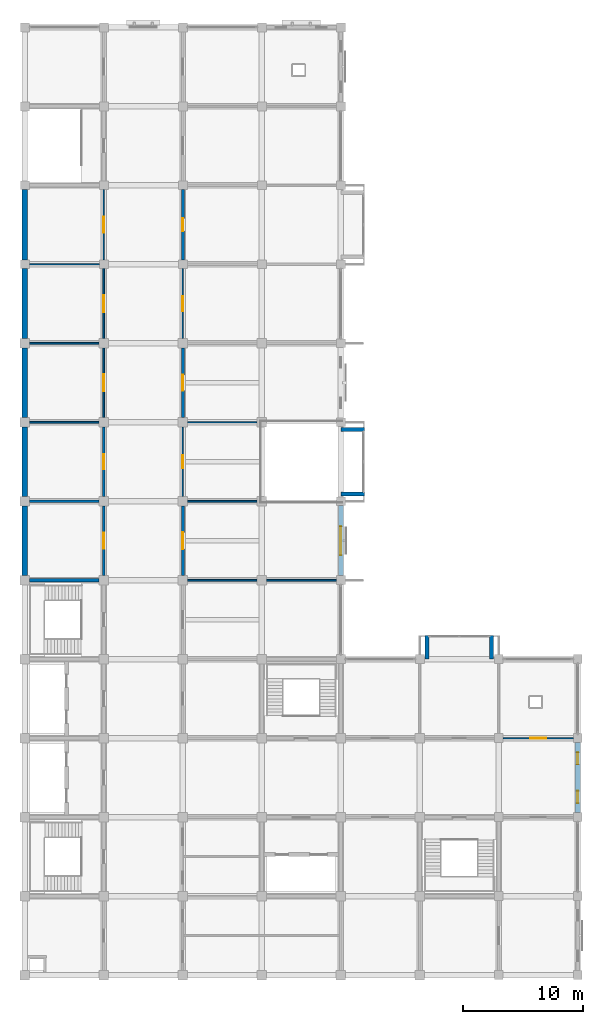
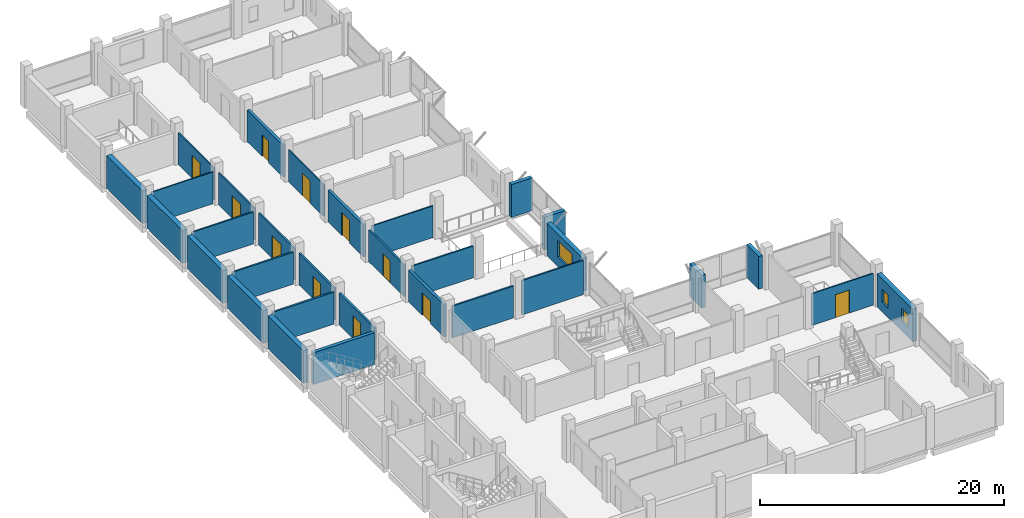
# One storey, part 9 of 14: 31 walls, 11 doors, 3 windows, 14 openings.
"""IFC4 building model written with IfcOpenShell, lengths in metres."""

from ifc_helpers import new_model, si_unit, direction, frame, frame_2d, origin, place, context, subcontext, project, spatial, rectangle, extrude, material, layer, layer_set, type_object, element, fill, save


model = new_model("IFC4")

# Units and contexts
model_context = context("Model", 3, precision=1e-05, world=origin(), true_north=direction((0.0, 1.0)))
body_context = subcontext(model_context, "Body", "Model", "MODEL_VIEW")
ifc_project = project(units=[si_unit("LENGTHUNIT", "METRE"), si_unit("AREAUNIT", "SQUARE_METRE"), si_unit("VOLUMEUNIT", "CUBIC_METRE"), si_unit("PLANEANGLEUNIT", "RADIAN"), si_unit("MASSUNIT", "GRAM", prefix="KILO")], contexts=[model_context])

# Site, building, storey
site_placement = place(None, origin())
site = spatial("IfcSite", under=ifc_project, at=site_placement, CompositionType="ELEMENT")
building_placement = place(site_placement, origin())
building = spatial("IfcBuilding", under=site, at=building_placement, Name="Rusizi Kubbe Research Institute", CompositionType="ELEMENT")
storey_placement = place(building_placement, frame((0.0, 0.0, 31.199951171875)))
storey = spatial("IfcBuildingStorey", under=building, at=storey_placement, Name="L07", CompositionType="ELEMENT", Elevation=31.199951171875)

# Wall
ifc_material_1 = material(Name="Concrete C45/55", Category="concrete")
ifc_layer_1 = layer(ifc_material_1, 0.31494140625)
ifc_layer_set_1 = layer_set([ifc_layer_1], Name="Concrete C45/55")
wall_type_1 = type_object("IfcWallType", Name="CRW-02", PredefinedType="SHEAR", material=ifc_layer_set_1)
wall_1_placement = place(storey_placement, frame((0.39990234375, 33.0, 0.0), z_axis=(0.0, 0.0, 1.0), x_axis=(1.0, 0.0, 0.0)))
element("IfcWall", 1, at=wall_1_placement, inside=storey, type_object=wall_type_1, Name="Stair Core Shear Wall ST2 L07 N", PredefinedType="SHEAR", context=body_context, shape_type="SweptSolid", body=[
    extrude(rectangle(XDim=5.800048828125, YDim=0.31494140625, at=frame_2d((2.89990234375, 0.0))), origin(), (0.0, 0.0, 1.0), 3.179931640625),
])

# Wall, opening, window
ifc_material_2 = material(Name="Volcanic Basalt Ashlar Masonry", Category="masonry")
ifc_layer_2 = layer(ifc_material_2, 0.419921875)
ifc_layer_set_2 = layer_set([ifc_layer_2], Name="Volcanic Basalt Ashlar Masonry")
wall_type_2 = type_object("IfcWallType", Name="EW-02", PredefinedType="SOLIDWALL", material=ifc_layer_set_2)
wall_2_placement = place(storey_placement, frame((26.39990234375, 33.375, 0.0), z_axis=(0.0, 0.0, 1.0), x_axis=(0.0, 1.0, 0.0)))
wall_2 = element("IfcWall", 2, at=wall_2_placement, inside=storey, type_object=wall_type_2, Name="Ablaq Stone Exterior Wall L07 V4-5", PredefinedType="SOLIDWALL", context=body_context, shape_type="SweptSolid", body=[
    extrude(rectangle(XDim=5.85009765625, YDim=0.419921875, at=frame_2d((2.925048828125, 0.0))), origin(), (0.0, 0.0, 1.0), 3.280029296875),
])
opening_1_placement = place(wall_2_placement, frame((1.715087890625, 0.0, 0.949951171875)))
opening_1 = element("IfcOpeningElement", 3, at=opening_1_placement, cuts=wall_2, Name="Opening WN-38", PredefinedType="OPENING", context=body_context, shape_type="SweptSolid", body=[
    extrude(rectangle(XDim=2.419921875, YDim=1.679931640625, at=frame_2d((1.2099609375, 0.83984375))), frame((0.0, 0.219970703125, 0.0), z_axis=(0.0, -1.0, 0.0), x_axis=(1.0, 0.0, 0.0)), (0.0, 0.0, 1.0), 0.43994140625),
])
ifc_material_3 = material(Name="Aluminium Frame and Solar-Control Double Glazing", Category="glass")
window_type_1 = type_object("IfcWindowType", Name="WN-38", PartitioningType="DOUBLE_PANEL_VERTICAL", PredefinedType="WINDOW", material=ifc_material_3)
window_1_placement = place(opening_1_placement, origin())
window_1 = element("IfcWindow", 4, at=window_1_placement, inside=storey, type_object=window_type_1, Name="Casement Window WN-38 L07", OverallHeight=1.679931640625, OverallWidth=2.419921875, PartitioningType="DOUBLE_PANEL_VERTICAL", PredefinedType="WINDOW", context=body_context, shape_type="SweptSolid", body=[
    extrude(rectangle(XDim=2.419921875, YDim=1.679931640625, at=frame_2d((1.2099609375, 0.83984375))), frame((0.0, 0.030029296875, 0.0), z_axis=(0.0, -1.0, 0.0), x_axis=(1.0, 0.0, 0.0)), (0.0, 0.0, 1.0), 0.06005859375),
])
fill(opening_1, window_1)

# Wall, openings, windows
wall_3_placement = place(storey_placement, frame((46.199951171875, 13.574951171875, 0.0), z_axis=(0.0, 0.0, 1.0), x_axis=(0.0, 1.0, 0.0)))
wall_3 = element("IfcWall", 5, at=wall_3_placement, inside=storey, type_object=wall_type_2, Name="Ablaq Stone Exterior Wall L07 V7-2", PredefinedType="SOLIDWALL", context=body_context, shape_type="SweptSolid", body=[
    extrude(rectangle(XDim=5.85009765625, YDim=0.419921875, at=frame_2d((2.925048828125, 0.0))), origin(), (0.0, 0.0, 1.0), 3.280029296875),
])
opening_2_placement = place(wall_3_placement, frame((0.800048828125, 0.0, 0.949951171875)))
opening_2 = element("IfcOpeningElement", 6, at=opening_2_placement, cuts=wall_3, Name="Opening WN-05", PredefinedType="OPENING", context=body_context, shape_type="SweptSolid", body=[
    extrude(rectangle(XDim=1.02001953125, YDim=1.300048828125, at=frame_2d((0.510009765625, 0.64990234375))), frame((0.0, 0.219970703125, 0.0), z_axis=(0.0, -1.0, 0.0), x_axis=(1.0, 0.0, 0.0)), (0.0, 0.0, 1.0), 0.43994140625),
])
opening_3_placement = place(wall_3_placement, frame((4.030029296875, 0.0, 0.949951171875)))
opening_3 = element("IfcOpeningElement", 7, at=opening_3_placement, cuts=wall_3, Name="Opening WN-05", PredefinedType="OPENING", context=body_context, shape_type="SweptSolid", body=[
    extrude(rectangle(XDim=1.02001953125, YDim=1.300048828125, at=frame_2d((0.510009765625, 0.64990234375))), frame((0.0, 0.219970703125, 0.0), z_axis=(0.0, -1.0, 0.0), x_axis=(1.0, 0.0, 0.0)), (0.0, 0.0, 1.0), 0.43994140625),
])
ifc_material_4 = material(Name="Aluminium Frame and Solar-Control Double Glazing", Category="glass")
window_type_2 = type_object("IfcWindowType", Name="WN-05", PartitioningType="SINGLE_PANEL", PredefinedType="WINDOW", material=ifc_material_4)
window_2_placement = place(opening_2_placement, origin())
window_2 = element("IfcWindow", 8, at=window_2_placement, inside=storey, type_object=window_type_2, Name="Casement Window WN-05 L07", OverallHeight=1.300048828125, OverallWidth=1.02001953125, PartitioningType="SINGLE_PANEL", PredefinedType="WINDOW", context=body_context, shape_type="SweptSolid", body=[
    extrude(rectangle(XDim=1.02001953125, YDim=1.300048828125, at=frame_2d((0.510009765625, 0.64990234375))), frame((0.0, 0.030029296875, 0.0), z_axis=(0.0, -1.0, 0.0), x_axis=(1.0, 0.0, 0.0)), (0.0, 0.0, 1.0), 0.06005859375),
])
fill(opening_2, window_2)
window_3_placement = place(opening_3_placement, origin())
window_3 = element("IfcWindow", 9, at=window_3_placement, inside=storey, type_object=window_type_2, Name="Casement Window WN-05 L07", OverallHeight=1.300048828125, OverallWidth=1.02001953125, PartitioningType="SINGLE_PANEL", PredefinedType="WINDOW", context=body_context, shape_type="SweptSolid", body=[
    extrude(rectangle(XDim=1.02001953125, YDim=1.300048828125, at=frame_2d((0.510009765625, 0.64990234375))), frame((0.0, 0.030029296875, 0.0), z_axis=(0.0, -1.0, 0.0), x_axis=(1.0, 0.0, 0.0)), (0.0, 0.0, 1.0), 0.06005859375),
])
fill(opening_3, window_3)

# Walls
ifc_material_5 = material(Name="Volcanic Basalt Ashlar Masonry", Category="masonry")
ifc_layer_3 = layer(ifc_material_5, 0.35498046875)
ifc_layer_set_3 = layer_set([ifc_layer_3], Name="Volcanic Basalt Ashlar Masonry")
wall_type_3 = type_object("IfcWallType", Name="EW-06", PredefinedType="SOLIDWALL", material=ifc_layer_set_3)
for number, where, z_axis, x_axis, name in (
    (10, (26.39990234375, 40.199951171875, 0.0), (0.0, 0.0, 1.0), (1.0, 0.0, 0.0), "Cumba Return Wall S L07 (4,6)"),
    (11, (26.39990234375, 45.60009765625, 0.0), (0.0, 0.0, 1.0), (1.0, 0.0, 0.0), "Cumba Return Wall N L07 (4,6)"),
    (12, (33.60009765625, 26.39990234375, 0.0), (0.0, 0.0, 1.0), (0.0, 1.0, 0.0), "Cumba Return Wall W L07 (5,4)"),
    (13, (39.0, 26.39990234375, 0.0), (0.0, 0.0, 1.0), (0.0, 1.0, 0.0), "Cumba Return Wall E L07 (5,4)"),
):
    element("IfcWall", number, at=place(storey_placement, frame(where, z_axis=z_axis, x_axis=x_axis)), inside=storey, type_object=wall_type_3, Name=name, PredefinedType="SOLIDWALL", context=body_context, shape_type="SweptSolid", body=[
        extrude(rectangle(XDim=2.0, YDim=0.35498046875, at=frame_2d((1.0, 0.0))), origin(), (0.0, 0.0, 1.0), 3.280029296875),
    ])

# Wall, opening, door
ifc_material_6 = material(Name="Insulated Cleanroom Partition", Category="masonry")
ifc_layer_4 = layer(ifc_material_6, 0.195068359375)
ifc_layer_set_4 = layer_set([ifc_layer_4], Name="Insulated Cleanroom Partition")
wall_type_4 = type_object("IfcWallType", Name="IW-02", PredefinedType="PARTITIONING", material=ifc_layer_set_4)
wall_4_placement = place(storey_placement, frame((6.60009765625, 33.39990234375, 0.0), z_axis=(0.0, 0.0, 1.0), x_axis=(0.0, 1.0, 0.0)))
wall_4 = element("IfcWall", 14, at=wall_4_placement, inside=storey, type_object=wall_type_4, Name="Interior Partition Wall L07 V1-5", PredefinedType="PARTITIONING", context=body_context, shape_type="SweptSolid", body=[
    extrude(rectangle(XDim=5.800048828125, YDim=0.195068359375, at=frame_2d((2.89990234375, 0.0))), origin(), (0.0, 0.0, 1.0), 3.179931640625),
])
opening_4_placement = place(wall_4_placement, frame((2.25, 0.0, 0.0)))
opening_4 = element("IfcOpeningElement", 15, at=opening_4_placement, cuts=wall_4, Name="Opening D-14", PredefinedType="OPENING", context=body_context, shape_type="SweptSolid", body=[
    extrude(rectangle(XDim=1.300048828125, YDim=2.300048828125, at=frame_2d((0.64990234375, 1.14990234375))), frame((0.0, 0.107421875, 0.0), z_axis=(0.0, -1.0, 0.0), x_axis=(1.0, 0.0, 0.0)), (0.0, 0.0, 1.0), 0.215087890625),
])
ifc_material_7 = material(Name="Fire-Rated Steel Frame and Acoustic Timber Leaf", Category="wood")
door_type_1 = type_object("IfcDoorType", Name="ID-LAB-130", OperationType="NOTDEFINED", PredefinedType="DOOR", material=ifc_material_7)
door_1_placement = place(opening_4_placement, origin())
door_1 = element("IfcDoor", 16, at=door_1_placement, inside=storey, type_object=door_type_1, Name="Door to Clean Room Metrology Laboratory (L07-WSP-05)", OperationType="SINGLE_SWING_RIGHT", OverallHeight=2.300048828125, OverallWidth=1.300048828125, PredefinedType="DOOR", context=body_context, shape_type="SweptSolid", body=[
    extrude(rectangle(XDim=1.300048828125, YDim=2.300048828125, at=frame_2d((0.64990234375, 1.14990234375))), frame((0.0, 0.02490234375, 0.0), z_axis=(0.0, -1.0, 0.0), x_axis=(1.0, 0.0, 0.0)), (0.0, 0.0, 1.0), 0.050048828125),
])
fill(opening_4, door_1)

# Wall
ifc_material_8 = material(Name="Acoustic Laboratory Partition", Category="masonry")
ifc_layer_5 = layer(ifc_material_8, 0.175048828125)
ifc_layer_set_5 = layer_set([ifc_layer_5], Name="Acoustic Laboratory Partition")
wall_type_5 = type_object("IfcWallType", Name="IW-03", PredefinedType="PARTITIONING", material=ifc_layer_set_5)
wall_5_placement = place(storey_placement, frame((0.39990234375, 39.60009765625, 0.0), z_axis=(0.0, 0.0, 1.0), x_axis=(1.0, 0.0, 0.0)))
element("IfcWall", 17, at=wall_5_placement, inside=storey, type_object=wall_type_5, Name="Interior Partition Wall L07 H0-6", PredefinedType="PARTITIONING", context=body_context, shape_type="SweptSolid", body=[
    extrude(rectangle(XDim=5.800048828125, YDim=0.175048828125, at=frame_2d((2.89990234375, 0.0))), origin(), (0.0, 0.0, 1.0), 3.179931640625),
])

# Wall, opening, door
wall_6_placement = place(storey_placement, frame((6.60009765625, 40.0, 0.0), z_axis=(0.0, 0.0, 1.0), x_axis=(0.0, 1.0, 0.0)))
wall_6 = element("IfcWall", 18, at=wall_6_placement, inside=storey, type_object=wall_type_5, Name="Interior Partition Wall L07 V1-6", PredefinedType="PARTITIONING", context=body_context, shape_type="SweptSolid", body=[
    extrude(rectangle(XDim=5.800048828125, YDim=0.175048828125, at=frame_2d((2.89990234375, 0.0))), origin(), (0.0, 0.0, 1.0), 3.179931640625),
])
opening_5_placement = place(wall_6_placement, frame((2.27490234375, 0.0, 0.0)))
opening_5 = element("IfcOpeningElement", 19, at=opening_5_placement, cuts=wall_6, Name="Opening D-15", PredefinedType="OPENING", context=body_context, shape_type="SweptSolid", body=[
    extrude(rectangle(XDim=1.25, YDim=2.25, at=frame_2d((0.625, 1.125))), frame((0.0, 0.097412109375, 0.0), z_axis=(0.0, -1.0, 0.0), x_axis=(1.0, 0.0, 0.0)), (0.0, 0.0, 1.0), 0.195068359375),
])
ifc_material_9 = material(Name="Fire-Rated Steel Frame and Acoustic Timber Leaf", Category="wood")
door_type_2 = type_object("IfcDoorType", Name="ID-LAB-125", OperationType="NOTDEFINED", PredefinedType="DOOR", material=ifc_material_9)
door_2_placement = place(opening_5_placement, origin())
door_2 = element("IfcDoor", 20, at=door_2_placement, inside=storey, type_object=door_type_2, Name="Door to Service Spine Autoclave Room (L07-WSP-06)", OperationType="SINGLE_SWING_LEFT", OverallHeight=2.25, OverallWidth=1.25, PredefinedType="DOOR", context=body_context, shape_type="SweptSolid", body=[
    extrude(rectangle(XDim=1.25, YDim=2.25, at=frame_2d((0.625, 1.125))), frame((0.0, 0.02490234375, 0.0), z_axis=(0.0, -1.0, 0.0), x_axis=(1.0, 0.0, 0.0)), (0.0, 0.0, 1.0), 0.050048828125),
])
fill(opening_5, door_2)

# Wall
ifc_material_10 = material(Name="Fire-Rated Corridor Partition", Category="masonry")
ifc_layer_6 = layer(ifc_material_10, 0.155029296875)
ifc_layer_set_6 = layer_set([ifc_layer_6], Name="Fire-Rated Corridor Partition")
wall_type_6 = type_object("IfcWallType", Name="IW-04", PredefinedType="PARTITIONING", material=ifc_layer_set_6)
wall_7_placement = place(storey_placement, frame((0.39990234375, 46.199951171875, 0.0), z_axis=(0.0, 0.0, 1.0), x_axis=(1.0, 0.0, 0.0)))
element("IfcWall", 21, at=wall_7_placement, inside=storey, type_object=wall_type_6, Name="Interior Partition Wall L07 H0-7", PredefinedType="PARTITIONING", context=body_context, shape_type="SweptSolid", body=[
    extrude(rectangle(XDim=5.800048828125, YDim=0.155029296875, at=frame_2d((2.89990234375, 0.0))), origin(), (0.0, 0.0, 1.0), 3.179931640625),
])

# Wall, opening, door
wall_8_placement = place(storey_placement, frame((6.60009765625, 46.60009765625, 0.0), z_axis=(0.0, 0.0, 1.0), x_axis=(0.0, 1.0, 0.0)))
wall_8 = element("IfcWall", 22, at=wall_8_placement, inside=storey, type_object=wall_type_6, Name="Interior Partition Wall L07 V1-7", PredefinedType="PARTITIONING", context=body_context, shape_type="SweptSolid", body=[
    extrude(rectangle(XDim=5.7998046875, YDim=0.155029296875, at=frame_2d((2.89990234375, 0.0))), origin(), (0.0, 0.0, 1.0), 3.179931640625),
])
opening_6_placement = place(wall_8_placement, frame((2.175048828125, 0.0, 0.0)))
opening_6 = element("IfcOpeningElement", 23, at=opening_6_placement, cuts=wall_8, Name="Opening D-11", PredefinedType="OPENING", context=body_context, shape_type="SweptSolid", body=[
    extrude(rectangle(XDim=1.449951171875, YDim=2.25, at=frame_2d((0.72509765625, 1.125))), frame((0.0, 0.08740234375, 0.0), z_axis=(0.0, -1.0, 0.0), x_axis=(1.0, 0.0, 0.0)), (0.0, 0.0, 1.0), 0.175048828125),
])
ifc_material_11 = material(Name="Fire-Rated Steel Frame and Acoustic Timber Leaf", Category="wood")
door_type_3 = type_object("IfcDoorType", Name="ID-LAB-145", OperationType="NOTDEFINED", PredefinedType="DOOR", material=ifc_material_11)
door_3_placement = place(opening_6_placement, origin())
door_3 = element("IfcDoor", 24, at=door_3_placement, inside=storey, type_object=door_type_3, Name="Door to Clean Room Metrology Laboratory (L07-WSP-07)", OperationType="SINGLE_SWING_LEFT", OverallHeight=2.25, OverallWidth=1.449951171875, PredefinedType="DOOR", context=body_context, shape_type="SweptSolid", body=[
    extrude(rectangle(XDim=1.449951171875, YDim=2.25, at=frame_2d((0.72509765625, 1.125))), frame((0.0, 0.02490234375, 0.0), z_axis=(0.0, -1.0, 0.0), x_axis=(1.0, 0.0, 0.0)), (0.0, 0.0, 1.0), 0.050048828125),
])
fill(opening_6, door_3)

wall_9_placement = place(storey_placement, frame((13.199951171875, 40.0, 0.0), z_axis=(0.0, 0.0, 1.0), x_axis=(0.0, 1.0, 0.0)))
wall_9 = element("IfcWall", 25, at=wall_9_placement, inside=storey, type_object=wall_type_6, Name="Interior Partition Wall L07 V2-6", PredefinedType="PARTITIONING", context=body_context, shape_type="SweptSolid", body=[
    extrude(rectangle(XDim=5.800048828125, YDim=0.155029296875, at=frame_2d((2.89990234375, 0.0))), origin(), (0.0, 0.0, 1.0), 3.179931640625),
])
opening_7_placement = place(wall_9_placement, frame((2.340087890625, 0.0, 0.0)))
opening_7 = element("IfcOpeningElement", 26, at=opening_7_placement, cuts=wall_9, Name="Opening D-18", PredefinedType="OPENING", context=body_context, shape_type="SweptSolid", body=[
    extrude(rectangle(XDim=1.1201171875, YDim=2.199951171875, at=frame_2d((0.56005859375, 1.10009765625))), frame((0.0, 0.08740234375, 0.0), z_axis=(0.0, -1.0, 0.0), x_axis=(1.0, 0.0, 0.0)), (0.0, 0.0, 1.0), 0.175048828125),
])
ifc_material_12 = material(Name="Fire-Rated Steel Frame and Acoustic Timber Leaf", Category="wood")
door_type_4 = type_object("IfcDoorType", Name="ID-OFF-112", OperationType="NOTDEFINED", PredefinedType="DOOR", material=ifc_material_12)
door_4_placement = place(opening_7_placement, origin())
door_4 = element("IfcDoor", 27, at=door_4_placement, inside=storey, type_object=door_type_4, Name="Door to Write-up Office (L07-NW-04)", OperationType="SINGLE_SWING_LEFT", OverallHeight=2.199951171875, OverallWidth=1.1201171875, PredefinedType="DOOR", context=body_context, shape_type="SweptSolid", body=[
    extrude(rectangle(XDim=1.1201171875, YDim=2.199951171875, at=frame_2d((0.56005859375, 1.10009765625))), frame((0.0, 0.02490234375, 0.0), z_axis=(0.0, -1.0, 0.0), x_axis=(1.0, 0.0, 0.0)), (0.0, 0.0, 1.0), 0.050048828125),
])
fill(opening_7, door_4)

# Walls
wall_10_placement = place(storey_placement, frame((13.60009765625, 33.0, 0.0), z_axis=(0.0, 0.0, 1.0), x_axis=(1.0, 0.0, 0.0)))
element("IfcWall", 28, at=wall_10_placement, inside=storey, type_object=wall_type_6, Name="Interior Partition Wall L07 H2-5", PredefinedType="PARTITIONING", context=body_context, shape_type="SweptSolid", body=[
    extrude(rectangle(XDim=5.7998046875, YDim=0.155029296875, at=frame_2d((2.89990234375, 0.0))), origin(), (0.0, 0.0, 1.0), 3.179931640625),
])
ifc_material_13 = material(Name="Write-up Glazed Acoustic Partition", Category="masonry")
ifc_layer_7 = layer(ifc_material_13, 0.139892578125)
ifc_layer_set_7 = layer_set([ifc_layer_7], Name="Write-up Glazed Acoustic Partition")
wall_type_7 = type_object("IfcWallType", Name="IW-05", PredefinedType="PARTITIONING", material=ifc_layer_set_7)
wall_11_placement = place(storey_placement, frame((0.39990234375, 52.800048828125, 0.0), z_axis=(0.0, 0.0, 1.0), x_axis=(1.0, 0.0, 0.0)))
element("IfcWall", 29, at=wall_11_placement, inside=storey, type_object=wall_type_7, Name="Interior Partition Wall L07 H0-8", PredefinedType="PARTITIONING", context=body_context, shape_type="SweptSolid", body=[
    extrude(rectangle(XDim=5.800048828125, YDim=0.139892578125, at=frame_2d((2.89990234375, 0.0))), origin(), (0.0, 0.0, 1.0), 3.179931640625),
])

# Wall, opening, door
wall_12_placement = place(storey_placement, frame((6.60009765625, 53.199951171875, 0.0), z_axis=(0.0, 0.0, 1.0), x_axis=(0.0, 1.0, 0.0)))
wall_12 = element("IfcWall", 30, at=wall_12_placement, inside=storey, type_object=wall_type_7, Name="Interior Partition Wall L07 V1-8", PredefinedType="PARTITIONING", context=body_context, shape_type="SweptSolid", body=[
    extrude(rectangle(XDim=5.824951171875, YDim=0.139892578125, at=frame_2d((2.91259765625, 0.0))), origin(), (0.0, 0.0, 1.0), 3.179931640625),
])
opening_8_placement = place(wall_12_placement, frame((2.199951171875, 0.0, 0.0)))
opening_8 = element("IfcOpeningElement", 31, at=opening_8_placement, cuts=wall_12, Name="Opening D-12", PredefinedType="OPENING", context=body_context, shape_type="SweptSolid", body=[
    extrude(rectangle(XDim=1.39990234375, YDim=2.25, at=frame_2d((0.699951171875, 1.125))), frame((0.0, 0.079833984375, 0.0), z_axis=(0.0, -1.0, 0.0), x_axis=(1.0, 0.0, 0.0)), (0.0, 0.0, 1.0), 0.159912109375),
])
ifc_material_14 = material(Name="Fire-Rated Steel Frame and Acoustic Timber Leaf", Category="wood")
door_type_5 = type_object("IfcDoorType", Name="ID-LAB-140", OperationType="NOTDEFINED", PredefinedType="DOOR", material=ifc_material_14)
door_5_placement = place(opening_8_placement, origin())
door_5 = element("IfcDoor", 32, at=door_5_placement, inside=storey, type_object=door_type_5, Name="Door to Service Spine Autoclave Room (L07-WSP-08)", OperationType="SINGLE_SWING_RIGHT", OverallHeight=2.25, OverallWidth=1.39990234375, PredefinedType="DOOR", context=body_context, shape_type="SweptSolid", body=[
    extrude(rectangle(XDim=1.39990234375, YDim=2.25, at=frame_2d((0.699951171875, 1.125))), frame((0.0, 0.02490234375, 0.0), z_axis=(0.0, -1.0, 0.0), x_axis=(1.0, 0.0, 0.0)), (0.0, 0.0, 1.0), 0.050048828125),
])
fill(opening_8, door_5)

# Walls
wall_13_placement = place(storey_placement, frame((13.60009765625, 39.60009765625, 0.0), z_axis=(0.0, 0.0, 1.0), x_axis=(1.0, 0.0, 0.0)))
element("IfcWall", 33, at=wall_13_placement, inside=storey, type_object=wall_type_7, Name="Interior Partition Wall L07 H2-6", PredefinedType="PARTITIONING", context=body_context, shape_type="SweptSolid", body=[
    extrude(rectangle(XDim=5.7998046875, YDim=0.139892578125, at=frame_2d((2.89990234375, 0.0))), origin(), (0.0, 0.0, 1.0), 3.179931640625),
])
wall_14_placement = place(storey_placement, frame((20.199951171875, 33.0, 0.0), z_axis=(0.0, 0.0, 1.0), x_axis=(1.0, 0.0, 0.0)))
element("IfcWall", 34, at=wall_14_placement, inside=storey, type_object=wall_type_7, Name="Interior Partition Wall L07 H3-5", PredefinedType="PARTITIONING", context=body_context, shape_type="SweptSolid", body=[
    extrude(rectangle(XDim=5.824951171875, YDim=0.139892578125, at=frame_2d((2.91259765625, 0.0))), origin(), (0.0, 0.0, 1.0), 3.429931640625),
])
ifc_material_15 = material(Name="Sub-Suite Fire Partition", Category="masonry")
ifc_layer_8 = layer(ifc_material_15, 0.110107421875)
ifc_layer_set_8 = layer_set([ifc_layer_8], Name="Sub-Suite Fire Partition")
wall_type_8 = type_object("IfcWallType", Name="IW-07", PredefinedType="PARTITIONING", material=ifc_layer_set_8)
wall_15_placement = place(storey_placement, frame((0.375, 59.39990234375, 0.0), z_axis=(0.0, 0.0, 1.0), x_axis=(1.0, 0.0, 0.0)))
element("IfcWall", 35, at=wall_15_placement, inside=storey, type_object=wall_type_8, Name="Interior Partition Wall L07 H0-9", PredefinedType="PARTITIONING", context=body_context, shape_type="SweptSolid", body=[
    extrude(rectangle(XDim=5.85009765625, YDim=0.110107421875, at=frame_2d((2.925048828125, 0.0))), origin(), (0.0, 0.0, 1.0), 3.179931640625),
])

# Wall, opening, door
wall_16_placement = place(storey_placement, frame((6.60009765625, 59.77490234375, 0.0), z_axis=(0.0, 0.0, 1.0), x_axis=(0.0, 1.0, 0.0)))
wall_16 = element("IfcWall", 36, at=wall_16_placement, inside=storey, type_object=wall_type_8, Name="Interior Partition Wall L07 V1-9", PredefinedType="PARTITIONING", context=body_context, shape_type="SweptSolid", body=[
    extrude(rectangle(XDim=5.85009765625, YDim=0.110107421875, at=frame_2d((2.925048828125, 0.0))), origin(), (0.0, 0.0, 1.0), 3.179931640625),
])
opening_9_placement = place(wall_16_placement, frame((2.25, 0.0, 0.0)))
opening_9 = element("IfcOpeningElement", 37, at=opening_9_placement, cuts=wall_16, Name="Opening D-13", PredefinedType="OPENING", context=body_context, shape_type="SweptSolid", body=[
    extrude(rectangle(XDim=1.35009765625, YDim=2.300048828125, at=frame_2d((0.675048828125, 1.14990234375))), frame((0.0, 0.06494140625, 0.0), z_axis=(0.0, -1.0, 0.0), x_axis=(1.0, 0.0, 0.0)), (0.0, 0.0, 1.0), 0.130126953125),
])
ifc_material_16 = material(Name="Fire-Rated Steel Frame and Acoustic Timber Leaf", Category="wood")
door_type_6 = type_object("IfcDoorType", Name="ID-LAB-135", OperationType="NOTDEFINED", PredefinedType="DOOR", material=ifc_material_16)
door_6_placement = place(opening_9_placement, origin())
door_6 = element("IfcDoor", 38, at=door_6_placement, inside=storey, type_object=door_type_6, Name="Door to Clean Room Metrology Laboratory (L07-WSP-09)", OperationType="SINGLE_SWING_LEFT", OverallHeight=2.300048828125, OverallWidth=1.35009765625, PredefinedType="DOOR", context=body_context, shape_type="SweptSolid", body=[
    extrude(rectangle(XDim=1.35009765625, YDim=2.300048828125, at=frame_2d((0.675048828125, 1.14990234375))), frame((0.0, 0.02490234375, 0.0), z_axis=(0.0, -1.0, 0.0), x_axis=(1.0, 0.0, 0.0)), (0.0, 0.0, 1.0), 0.050048828125),
])
fill(opening_9, door_6)

wall_17_placement = place(storey_placement, frame((13.199951171875, 53.199951171875, 0.0), z_axis=(0.0, 0.0, 1.0), x_axis=(0.0, 1.0, 0.0)))
wall_17 = element("IfcWall", 39, at=wall_17_placement, inside=storey, type_object=wall_type_8, Name="Interior Partition Wall L07 V2-8", PredefinedType="PARTITIONING", context=body_context, shape_type="SweptSolid", body=[
    extrude(rectangle(XDim=5.824951171875, YDim=0.110107421875, at=frame_2d((2.91259765625, 0.0))), origin(), (0.0, 0.0, 1.0), 3.179931640625),
])
opening_10_placement = place(wall_17_placement, frame((2.27490234375, 0.0, 0.0)))
opening_10 = element("IfcOpeningElement", 40, at=opening_10_placement, cuts=wall_17, Name="Opening D-15", PredefinedType="OPENING", context=body_context, shape_type="SweptSolid", body=[
    extrude(rectangle(XDim=1.25, YDim=2.25, at=frame_2d((0.625, 1.125))), frame((0.0, 0.06494140625, 0.0), z_axis=(0.0, -1.0, 0.0), x_axis=(1.0, 0.0, 0.0)), (0.0, 0.0, 1.0), 0.130126953125),
])
door_7_placement = place(opening_10_placement, origin())
door_7 = element("IfcDoor", 41, at=door_7_placement, inside=storey, type_object=door_type_2, Name="Door to Computational Dry Laboratory (L07-NW-06)", OperationType="SINGLE_SWING_LEFT", OverallHeight=2.25, OverallWidth=1.25, PredefinedType="DOOR", context=body_context, shape_type="SweptSolid", body=[
    extrude(rectangle(XDim=1.25, YDim=2.25, at=frame_2d((0.625, 1.125))), frame((0.0, 0.02490234375, 0.0), z_axis=(0.0, -1.0, 0.0), x_axis=(1.0, 0.0, 0.0)), (0.0, 0.0, 1.0), 0.050048828125),
])
fill(opening_10, door_7)

# Wall
wall_18_placement = place(storey_placement, frame((13.60009765625, 46.199951171875, 0.0), z_axis=(0.0, 0.0, 1.0), x_axis=(1.0, 0.0, 0.0)))
element("IfcWall", 42, at=wall_18_placement, inside=storey, type_object=wall_type_8, Name="Interior Partition Wall L07 H2-7", PredefinedType="PARTITIONING", context=body_context, shape_type="SweptSolid", body=[
    extrude(rectangle(XDim=5.7998046875, YDim=0.110107421875, at=frame_2d((2.89990234375, 0.0))), origin(), (0.0, 0.0, 1.0), 3.179931640625),
])

# Wall, opening, door
wall_19_placement = place(storey_placement, frame((39.97509765625, 19.800048828125, 0.0), z_axis=(0.0, 0.0, 1.0), x_axis=(1.0, 0.0, 0.0)))
wall_19 = element("IfcWall", 43, at=wall_19_placement, inside=storey, type_object=wall_type_8, Name="Interior Partition Wall L07 H6-3", PredefinedType="PARTITIONING", context=body_context, shape_type="SweptSolid", body=[
    extrude(rectangle(XDim=5.849853515625, YDim=0.110107421875, at=frame_2d((2.9248046875, 0.0))), origin(), (0.0, 0.0, 1.0), 3.179931640625),
])
opening_11_placement = place(wall_19_placement, frame((2.27490234375, 0.0, 0.0)))
opening_11 = element("IfcOpeningElement", 44, at=opening_11_placement, cuts=wall_19, Name="Opening D-14", PredefinedType="OPENING", context=body_context, shape_type="SweptSolid", body=[
    extrude(rectangle(XDim=1.300048828125, YDim=2.300048828125, at=frame_2d((0.64990234375, 1.14990234375))), frame((0.0, 0.06494140625, 0.0), z_axis=(0.0, -1.0, 0.0), x_axis=(1.0, 0.0, 0.0)), (0.0, 0.0, 1.0), 0.130126953125),
])
door_8_placement = place(opening_11_placement, origin())
door_8 = element("IfcDoor", 45, at=door_8_placement, inside=storey, type_object=door_type_1, Name="Door to Molecular Diagnostics Laboratory (L07-EWN-03)", OperationType="SINGLE_SWING_RIGHT", OverallHeight=2.300048828125, OverallWidth=1.300048828125, PredefinedType="DOOR", context=body_context, shape_type="SweptSolid", body=[
    extrude(rectangle(XDim=1.300048828125, YDim=2.300048828125, at=frame_2d((0.64990234375, 1.14990234375))), frame((0.0, 0.02490234375, 0.0), z_axis=(0.0, -1.0, 0.0), x_axis=(1.0, 0.0, 0.0)), (0.0, 0.0, 1.0), 0.050048828125),
])
fill(opening_11, door_8)

# Walls
ifc_material_17 = material(Name="Concrete C40/50", Category="concrete")
ifc_layer_9 = layer(ifc_material_17, 0.4599609375)
ifc_layer_set_9 = layer_set([ifc_layer_9], Name="Concrete C40/50")
wall_type_9 = type_object("IfcWallType", Name="PW-02", PredefinedType="SOLIDWALL", material=ifc_layer_set_9)
for number, where, z_axis, x_axis, name in (
    (46, (0.0, 33.39990234375, 0.0), (0.0, 0.0, 1.0), (0.0, 1.0, 0.0), "Blind Party Wall L07 V0-5"),
    (47, (0.0, 40.0, 0.0), (0.0, 0.0, 1.0), (0.0, 1.0, 0.0), "Blind Party Wall L07 V0-6"),
):
    element("IfcWall", number, at=place(storey_placement, frame(where, z_axis=z_axis, x_axis=x_axis)), inside=storey, type_object=wall_type_9, Name=name, PredefinedType="SOLIDWALL", context=body_context, shape_type="SweptSolid", body=[
        extrude(rectangle(XDim=5.800048828125, YDim=0.4599609375, at=frame_2d((2.89990234375, 0.0))), origin(), (0.0, 0.0, 1.0), 3.280029296875),
    ])
wall_20_placement = place(storey_placement, frame((0.0, 46.60009765625, 0.0), z_axis=(0.0, 0.0, 1.0), x_axis=(0.0, 1.0, 0.0)))
element("IfcWall", 48, at=wall_20_placement, inside=storey, type_object=wall_type_9, Name="Blind Party Wall L07 V0-7", PredefinedType="SOLIDWALL", context=body_context, shape_type="SweptSolid", body=[
    extrude(rectangle(XDim=5.7998046875, YDim=0.4599609375, at=frame_2d((2.89990234375, 0.0))), origin(), (0.0, 0.0, 1.0), 3.280029296875),
])
wall_21_placement = place(storey_placement, frame((0.0, 53.199951171875, 0.0), z_axis=(0.0, 0.0, 1.0), x_axis=(0.0, 1.0, 0.0)))
element("IfcWall", 49, at=wall_21_placement, inside=storey, type_object=wall_type_9, Name="Blind Party Wall L07 V0-8", PredefinedType="SOLIDWALL", context=body_context, shape_type="SweptSolid", body=[
    extrude(rectangle(XDim=5.824951171875, YDim=0.4599609375, at=frame_2d((2.91259765625, 0.0))), origin(), (0.0, 0.0, 1.0), 3.280029296875),
])
wall_22_placement = place(storey_placement, frame((0.0, 59.77490234375, 0.0), z_axis=(0.0, 0.0, 1.0), x_axis=(0.0, 1.0, 0.0)))
element("IfcWall", 50, at=wall_22_placement, inside=storey, type_object=wall_type_9, Name="Blind Party Wall L07 V0-9", PredefinedType="SOLIDWALL", context=body_context, shape_type="SweptSolid", body=[
    extrude(rectangle(XDim=5.85009765625, YDim=0.4599609375, at=frame_2d((2.925048828125, 0.0))), origin(), (0.0, 0.0, 1.0), 3.280029296875),
])

# Wall, opening, door
ifc_material_18 = material(Name="Concrete C40/50", Category="concrete")
ifc_layer_10 = layer(ifc_material_18, 0.2548828125)
ifc_layer_set_10 = layer_set([ifc_layer_10], Name="Concrete C40/50")
wall_type_10 = type_object("IfcWallType", Name="SHW-02", PredefinedType="SHEAR", material=ifc_layer_set_10)
wall_23_placement = place(storey_placement, frame((13.199951171875, 33.39990234375, 0.0), z_axis=(0.0, 0.0, 1.0), x_axis=(0.0, 1.0, 0.0)))
wall_23 = element("IfcWall", 51, at=wall_23_placement, inside=storey, type_object=wall_type_10, Name="Interior Partition Wall L07 V2-5", PredefinedType="SHEAR", context=body_context, shape_type="SweptSolid", body=[
    extrude(rectangle(XDim=5.800048828125, YDim=0.2548828125, at=frame_2d((2.89990234375, 0.0))), origin(), (0.0, 0.0, 1.0), 3.179931640625),
])
opening_12_placement = place(wall_23_placement, frame((2.199951171875, 0.0, 0.0)))
opening_12 = element("IfcOpeningElement", 52, at=opening_12_placement, cuts=wall_23, Name="Opening D-12", PredefinedType="OPENING", context=body_context, shape_type="SweptSolid", body=[
    extrude(rectangle(XDim=1.39990234375, YDim=2.25, at=frame_2d((0.699951171875, 1.125))), frame((0.0, 0.137451171875, 0.0), z_axis=(0.0, -1.0, 0.0), x_axis=(1.0, 0.0, 0.0)), (0.0, 0.0, 1.0), 0.27490234375),
])
door_9_placement = place(opening_12_placement, origin())
door_9 = element("IfcDoor", 53, at=door_9_placement, inside=storey, type_object=door_type_5, Name="Door to Computational Dry Laboratory (L07-NW-03)", OperationType="SINGLE_SWING_RIGHT", OverallHeight=2.25, OverallWidth=1.39990234375, PredefinedType="DOOR", context=body_context, shape_type="SweptSolid", body=[
    extrude(rectangle(XDim=1.39990234375, YDim=2.25, at=frame_2d((0.699951171875, 1.125))), frame((0.0, 0.02490234375, 0.0), z_axis=(0.0, -1.0, 0.0), x_axis=(1.0, 0.0, 0.0)), (0.0, 0.0, 1.0), 0.050048828125),
])
fill(opening_12, door_9)

wall_24_placement = place(storey_placement, frame((13.199951171875, 46.60009765625, 0.0), z_axis=(0.0, 0.0, 1.0), x_axis=(0.0, 1.0, 0.0)))
wall_24 = element("IfcWall", 54, at=wall_24_placement, inside=storey, type_object=wall_type_10, Name="Interior Partition Wall L07 V2-7", PredefinedType="SHEAR", context=body_context, shape_type="SweptSolid", body=[
    extrude(rectangle(XDim=5.7998046875, YDim=0.2548828125, at=frame_2d((2.89990234375, 0.0))), origin(), (0.0, 0.0, 1.0), 3.179931640625),
])
opening_13_placement = place(wall_24_placement, frame((2.25, 0.0, 0.0)))
opening_13 = element("IfcOpeningElement", 55, at=opening_13_placement, cuts=wall_24, Name="Opening D-14", PredefinedType="OPENING", context=body_context, shape_type="SweptSolid", body=[
    extrude(rectangle(XDim=1.300048828125, YDim=2.300048828125, at=frame_2d((0.64990234375, 1.14990234375))), frame((0.0, 0.137451171875, 0.0), z_axis=(0.0, -1.0, 0.0), x_axis=(1.0, 0.0, 0.0)), (0.0, 0.0, 1.0), 0.27490234375),
])
door_10_placement = place(opening_13_placement, origin())
door_10 = element("IfcDoor", 56, at=door_10_placement, inside=storey, type_object=door_type_1, Name="Door to Bioscience Wet Laboratory (L07-NW-05)", OperationType="SINGLE_SWING_RIGHT", OverallHeight=2.300048828125, OverallWidth=1.300048828125, PredefinedType="DOOR", context=body_context, shape_type="SweptSolid", body=[
    extrude(rectangle(XDim=1.300048828125, YDim=2.300048828125, at=frame_2d((0.64990234375, 1.14990234375))), frame((0.0, 0.02490234375, 0.0), z_axis=(0.0, -1.0, 0.0), x_axis=(1.0, 0.0, 0.0)), (0.0, 0.0, 1.0), 0.050048828125),
])
fill(opening_13, door_10)

wall_25_placement = place(storey_placement, frame((13.199951171875, 59.77490234375, 0.0), z_axis=(0.0, 0.0, 1.0), x_axis=(0.0, 1.0, 0.0)))
wall_25 = element("IfcWall", 57, at=wall_25_placement, inside=storey, type_object=wall_type_10, Name="Interior Partition Wall L07 V2-9", PredefinedType="SHEAR", context=body_context, shape_type="SweptSolid", body=[
    extrude(rectangle(XDim=5.85009765625, YDim=0.2548828125, at=frame_2d((2.925048828125, 0.0))), origin(), (0.0, 0.0, 1.0), 3.179931640625),
])
opening_14_placement = place(wall_25_placement, frame((2.39990234375, 0.0, 0.0)))
opening_14 = element("IfcOpeningElement", 58, at=opening_14_placement, cuts=wall_25, Name="Opening D-16", PredefinedType="OPENING", context=body_context, shape_type="SweptSolid", body=[
    extrude(rectangle(XDim=1.050048828125, YDim=2.14990234375, at=frame_2d((0.52490234375, 1.074951171875))), frame((0.0, 0.137451171875, 0.0), z_axis=(0.0, -1.0, 0.0), x_axis=(1.0, 0.0, 0.0)), (0.0, 0.0, 1.0), 0.27490234375),
])
ifc_material_19 = material(Name="Fire-Rated Steel Frame and Acoustic Timber Leaf", Category="wood")
door_type_7 = type_object("IfcDoorType", Name="ID-OFF-105", OperationType="NOTDEFINED", PredefinedType="DOOR", material=ifc_material_19)
door_11_placement = place(opening_14_placement, origin())
door_11 = element("IfcDoor", 59, at=door_11_placement, inside=storey, type_object=door_type_7, Name="Door to Write-up Office (L07-NW-07)", OperationType="SINGLE_SWING_LEFT", OverallHeight=2.14990234375, OverallWidth=1.050048828125, PredefinedType="DOOR", context=body_context, shape_type="SweptSolid", body=[
    extrude(rectangle(XDim=1.050048828125, YDim=2.14990234375, at=frame_2d((0.52490234375, 1.074951171875))), frame((0.0, 0.02490234375, 0.0), z_axis=(0.0, -1.0, 0.0), x_axis=(1.0, 0.0, 0.0)), (0.0, 0.0, 1.0), 0.050048828125),
])
fill(opening_14, door_11)

save(model, "model.ifc")
